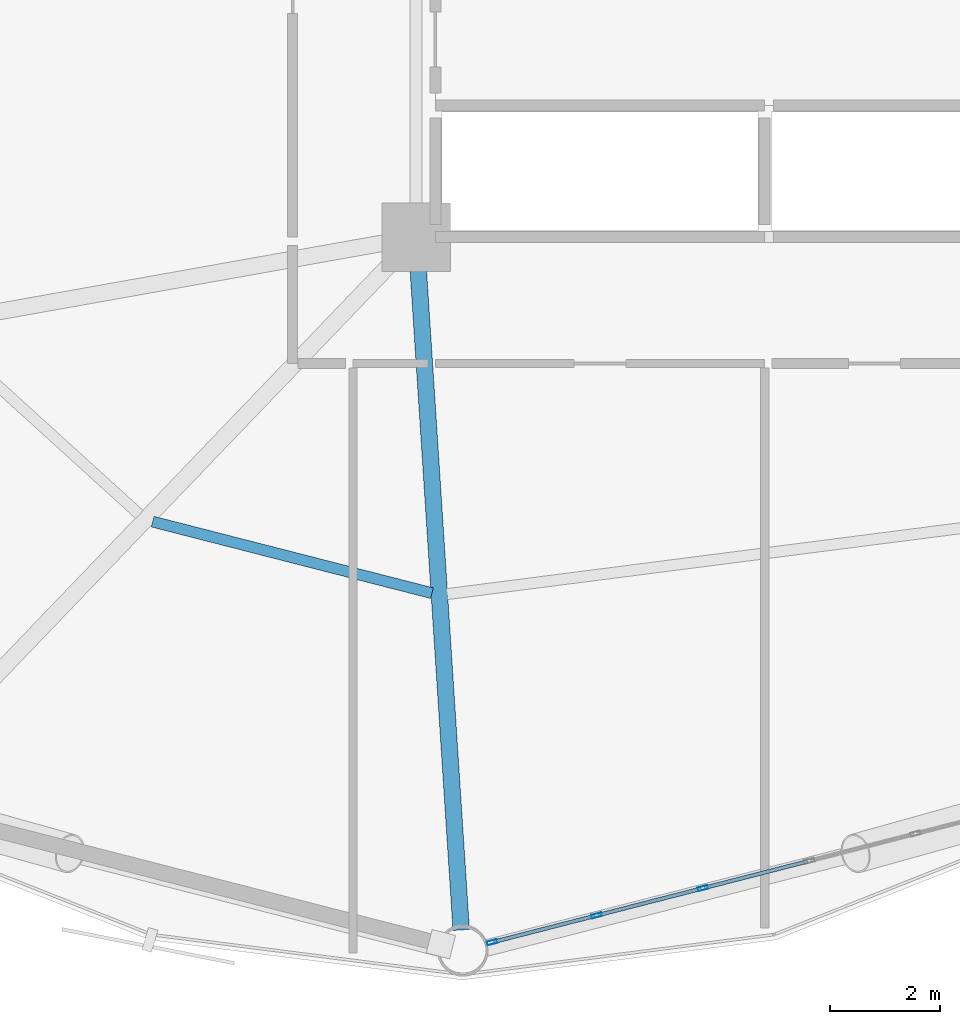
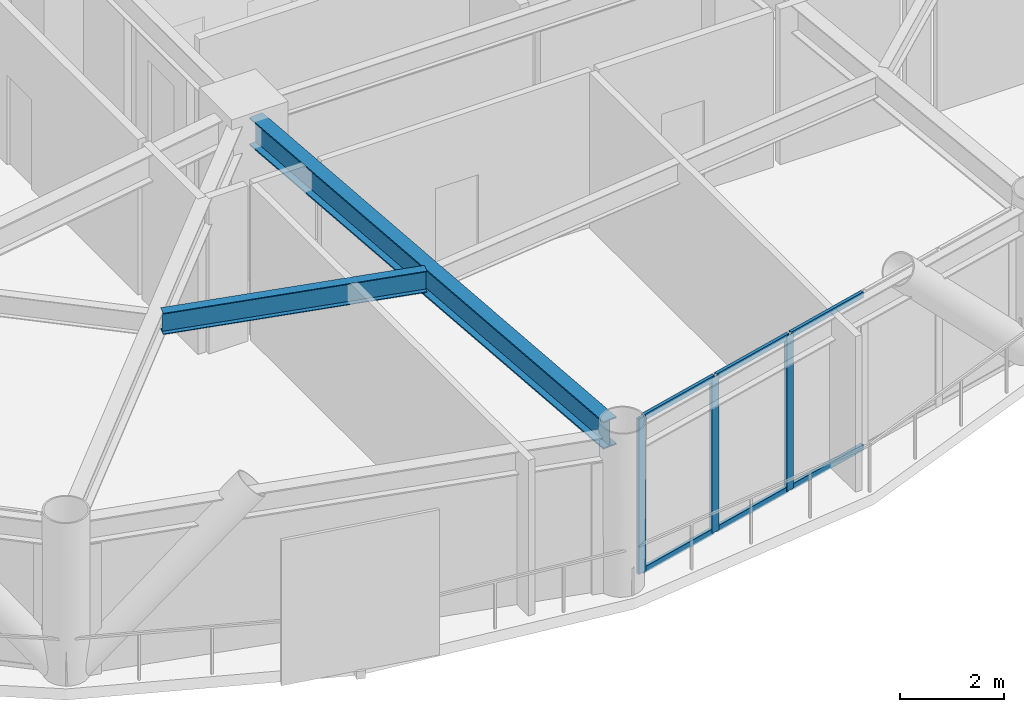
# One storey, part 6 of 25: 9 members, 2 beams, 1 element without a shape of its own.
"""IFC4 building model written with IfcOpenShell, lengths in metres."""

import ifcopenshell
import ifcopenshell.guid

model = None  # the IFC model being written
_history = None  # IfcOwnerHistory: only IFC2X3 demands one
_inside = {}  # id of a spatial element -> (the spatial element, [elements in it])
_under = {}  # id of a project, library or spatial element -> (it, [spatial elements below it])
_declared = {}  # id of a project -> (the project, [libraries it declares])
_typed = {}  # id of a type object -> (the type object, [elements of that type])
_made_of = {}  # id of a material, layer set ... -> (it, [elements and type objects made of it])


def new_model(schema):
    """Start an empty IFC model of exactly this schema.

    Asked for "IFC4X3", IfcOpenShell would pick the latest addendum, in which some entities
    have other attributes; the version numbers below select the first issue.
    IFC2X3 requires an IfcOwnerHistory on every rooted entity: one is made here for all.
    """
    global model, _history
    if schema == "IFC4X3":
        model = ifcopenshell.file(schema_version=(4, 3, 0, 0))
    else:
        model = ifcopenshell.file(schema=schema)
    _inside.clear()
    _under.clear()
    _declared.clear()
    _typed.clear()
    _made_of.clear()
    _history = None
    if model.schema == "IFC2X3":
        org = make("IfcOrganization", Name="unknown")
        user = make(
            "IfcPersonAndOrganization",
            ThePerson=make("IfcPerson", FamilyName="unknown"),
            TheOrganization=org,
        )
        app = make(
            "IfcApplication",
            ApplicationDeveloper=org,
            Version="unknown",
            ApplicationFullName="unknown",
            ApplicationIdentifier="unknown",
        )
        _history = make(
            "IfcOwnerHistory",
            OwningUser=user,
            OwningApplication=app,
            ChangeAction="ADDED",
            CreationDate=0,
        )
    return model


def make(cls, **values):
    """One entity of the class cls with the attributes given. An attribute that is None is left unset."""
    return model.create_entity(
        cls, **{name: value for name, value in values.items() if value is not None}
    )


def rooted(cls, **values):
    """An entity with a GlobalId (a new one), such as an element, a storey or a relation."""
    return make(cls, GlobalId=ifcopenshell.guid.new(), OwnerHistory=_history, **values)


def si_unit(unit_type, name, prefix=None):
    """IfcSIUnit, for example si_unit("LENGTHUNIT", "METRE", prefix="MILLI")."""
    return make("IfcSIUnit", UnitType=unit_type, Prefix=prefix, Name=name)


def assignment(units):
    """IfcUnitAssignment: the units of a project."""
    return None if units is None else make("IfcUnitAssignment", Units=units)


def point(xyz):
    """IfcCartesianPoint."""
    return None if xyz is None else make("IfcCartesianPoint", Coordinates=xyz)


def direction(xyz):
    """IfcDirection."""
    return None if xyz is None else make("IfcDirection", DirectionRatios=xyz)


def frame(location, z_axis=None, x_axis=None):
    """IfcAxis2Placement3D, a coordinate frame: its origin and axes. An axis left out is left unset."""
    return make(
        "IfcAxis2Placement3D",
        Location=point(location),
        Axis=direction(z_axis),
        RefDirection=direction(x_axis),
    )


def frame_2d(location, x_axis=None):
    """IfcAxis2Placement2D, a coordinate frame in the plane: its origin and x axis."""
    return make(
        "IfcAxis2Placement2D", Location=point(location), RefDirection=direction(x_axis)
    )


def origin():
    """The frame at (0, 0, 0) with its axes left unset."""
    return frame((0.0, 0.0, 0.0))


def origin_2d():
    """The frame at (0, 0) in the plane with its x axis left unset."""
    return frame_2d((0.0, 0.0))


def place(relative_to, where):
    """IfcLocalPlacement: puts the frame where relative to a parent placement (None: the world)."""
    return make(
        "IfcLocalPlacement", PlacementRelTo=relative_to, RelativePlacement=where
    )


def context(
    kind, dimensions, precision=None, world=None, true_north=None, identifier=None
):
    """IfcGeometricRepresentationContext, for example the 3D "Model" context."""
    return make(
        "IfcGeometricRepresentationContext",
        ContextIdentifier=identifier,
        ContextType=kind,
        CoordinateSpaceDimension=dimensions,
        Precision=precision,
        WorldCoordinateSystem=world,
        TrueNorth=true_north,
    )


def subcontext(parent, identifier, kind, view, scale=None):
    """IfcGeometricRepresentationSubContext, for example "Body" below "Model"."""
    return make(
        "IfcGeometricRepresentationSubContext",
        ContextIdentifier=identifier,
        ContextType=kind,
        ParentContext=parent,
        TargetScale=scale,
        TargetView=view,
    )


def project(units=None, contexts=None):
    """IfcProject with its units and contexts."""
    return rooted(
        "IfcProject",
        Name="project",
        RepresentationContexts=contexts,
        UnitsInContext=assignment(units),
    )


def spatial(cls, under=None, at=None, **own):
    """A site, building, storey or space (cls), placed at a placement, below another one or the project."""
    s = rooted(cls, ObjectPlacement=at, **own)
    if under is not None:
        _under.setdefault(under.id(), (under, []))[1].append(s)
    return s


def profile(cls, at=None, kind="AREA", **sizes):
    """A parametric profile (cls). Its sizes go by their IFC names, for example OverallWidth=200.0."""
    return make(cls, ProfileType=kind, Position=at, **sizes)


def hollow_rectangle(**sizes):
    """IfcRectangleHollowProfileDef."""
    return profile("IfcRectangleHollowProfileDef", **sizes)


def i_section(**sizes):
    """IfcIShapeProfileDef."""
    return profile("IfcIShapeProfileDef", **sizes)


def extrude(swept, where, along, depth):
    """IfcExtrudedAreaSolid: the profile swept, set in the frame where, extruded along a direction by depth."""
    return make(
        "IfcExtrudedAreaSolid",
        SweptArea=swept,
        Position=where,
        ExtrudedDirection=direction(along),
        Depth=depth,
    )


def shape(context_of_items, identifier, shape_type, items):
    """IfcShapeRepresentation: the items that make up one representation, for example the "Body"."""
    return make(
        "IfcShapeRepresentation",
        ContextOfItems=context_of_items,
        RepresentationIdentifier=identifier,
        RepresentationType=shape_type,
        Items=items,
    )


def material(Name=None, Category=None):
    """IfcMaterial."""
    return make("IfcMaterial", Name=Name, Category=Category)


def layer(
    of_material, thickness, ventilated=None, Name=None, Category=None, Priority=None
):
    """IfcMaterialLayer: one layer of a wall or slab, of a material (None: an air gap)."""
    return make(
        "IfcMaterialLayer",
        Material=of_material,
        LayerThickness=thickness,
        IsVentilated=ventilated,
        Name=Name,
        Category=Category,
        Priority=Priority,
    )


def layer_set(layers, Name=None):
    """IfcMaterialLayerSet."""
    return make("IfcMaterialLayerSet", MaterialLayers=layers, LayerSetName=Name)


def material_profile(
    of_material, cross_section, Name=None, Category=None, Priority=None
):
    """IfcMaterialProfile: a cross section and its material."""
    return make(
        "IfcMaterialProfile",
        Name=Name,
        Material=of_material,
        Profile=cross_section,
        Priority=Priority,
        Category=Category,
    )


def profile_set(profiles, Name=None, composite=None):
    """IfcMaterialProfileSet."""
    return make(
        "IfcMaterialProfileSet",
        Name=Name,
        MaterialProfiles=profiles,
        CompositeProfile=composite,
    )


def made_of(thing, what):
    """Note that an element or type object is made of a material, layer set ...; save() writes the relation."""
    if what is not None:
        _made_of.setdefault(what.id(), (what, []))[1].append(thing)
    return thing


def type_object(cls, material=None, **own):
    """A type object (cls), such as IfcWallType, which elements share."""
    return made_of(rooted(cls, **own), material)


def element(
    cls,
    number,
    at=None,
    inside=None,
    cuts=None,
    type_object=None,
    material=None,
    context=None,
    identifier="Body",
    shape_type=None,
    held_by="IfcProductDefinitionShape",
    body=None,
    shapes=None,
    **own,
):
    """One element of the class cls, such as IfcWall. Its Tag is "e" and its number.

    at: its placement. inside: the storey or other place that contains it. cuts: it is an
    opening in that element (IfcRelVoidsElement). A single representation is given by context,
    identifier, shape_type and body (its items); several are given by shapes. held_by: the class
    of the entity that holds the representations. save() writes the other relations.
    """
    e = rooted(cls, Tag="e%d" % number, ObjectPlacement=at, **own)
    if body is not None:
        shapes = [shape(context, identifier, shape_type, body)]
    if shapes is not None:
        e.Representation = make(held_by, Representations=shapes)
    if inside is not None:
        _inside.setdefault(inside.id(), (inside, []))[1].append(e)
    if cuts is not None:
        rooted(
            "IfcRelVoidsElement", RelatingBuildingElement=cuts, RelatedOpeningElement=e
        )
    if type_object is not None:
        _typed.setdefault(type_object.id(), (type_object, []))[1].append(e)
    return made_of(e, material)


def aggregate(whole, parts):
    """IfcRelAggregates: a whole, such as a stair, and the parts it consists of."""
    return rooted("IfcRelAggregates", RelatingObject=whole, RelatedObjects=parts)


def save(model, path):
    """Write the relations noted so far, then the file.

    IfcRelAggregates (storeys below a building ...), IfcRelContainedInSpatialStructure (elements
    in a storey), IfcRelDefinesByType, IfcRelAssociatesMaterial and IfcRelDeclares: one each for
    every whole, place, type object, material and project.
    """
    for whole, parts in _under.values():
        aggregate(whole, parts)
    for where, things in _inside.values():
        rooted(
            "IfcRelContainedInSpatialStructure",
            RelatedElements=things,
            RelatingStructure=where,
        )
    for kind, things in _typed.values():
        rooted("IfcRelDefinesByType", RelatedObjects=things, RelatingType=kind)
    for what, things in _made_of.values():
        rooted("IfcRelAssociatesMaterial", RelatedObjects=things, RelatingMaterial=what)
    for by, libraries in _declared.values():
        rooted("IfcRelDeclares", RelatingContext=by, RelatedDefinitions=libraries)
    model.write(path)


model = new_model("IFC4")

# Units and contexts
model_context = context("Model", 3, precision=1e-05, world=origin(), true_north=direction((0.0, 1.0)))
body_context = subcontext(model_context, "Body", "Model", "MODEL_VIEW")
ifc_project = project(units=[si_unit("LENGTHUNIT", "METRE"), si_unit("AREAUNIT", "SQUARE_METRE"), si_unit("VOLUMEUNIT", "CUBIC_METRE"), si_unit("PLANEANGLEUNIT", "RADIAN"), si_unit("MASSUNIT", "GRAM", prefix="KILO")], contexts=[model_context])

# Site, building, storey
site_placement = place(None, origin())
site = spatial("IfcSite", under=ifc_project, at=site_placement, CompositionType="ELEMENT")
building_placement = place(site_placement, origin())
building = spatial("IfcBuilding", under=site, at=building_placement, Name="Varnakorn Sky Granary", CompositionType="ELEMENT")
storey_placement = place(building_placement, frame((0.0, 0.0, 62.699951171875)))
storey = spatial("IfcBuildingStorey", under=building, at=storey_placement, Name="L15", CompositionType="ELEMENT", Elevation=62.699951171875)

# Beams
ifc_material_1 = material(Name="Steel S355JR", Category="steel")
ifc_material_profile_1 = material_profile(ifc_material_1, i_section(OverallWidth=0.300048828125, OverallDepth=0.64990234375, WebThickness=0.01611328125, FlangeThickness=0.031005859375, at=origin_2d()), Name="HE 650 B")
ifc_profile_set_1 = profile_set([ifc_material_profile_1], Name="Steel S355JR")
beam_type_1 = type_object("IfcBeamType", Name="BM-RAD-Z1", PredefinedType="BEAM", material=ifc_profile_set_1)
beam_1_placement = place(storey_placement, frame((-2.32275390625, -7.01904296875, 3.31494140625), z_axis=(0.064930024473, -0.99788981953, 0.0), x_axis=(0.99788981953, 0.064930024473, 0.0)))
element("IfcBeam", 1, at=beam_1_placement, inside=storey, type_object=beam_type_1, Name="Radial Floor Girder RG10 L15", PredefinedType="BEAM", context=body_context, shape_type="SweptSolid", body=[
    extrude(i_section(OverallWidth=0.300048828125, OverallDepth=0.64990234375, WebThickness=0.01611328125, FlangeThickness=0.031005859375, at=origin_2d()), origin(), (0.0, 0.0, 1.0), 12.227783203125),
])
ifc_material_profile_2 = material_profile(ifc_material_1, i_section(OverallWidth=0.199951171875, OverallDepth=0.5, WebThickness=0.01025390625, FlangeThickness=0.01611328125, at=origin_2d()), Name="IPE 500")
ifc_profile_set_2 = profile_set([ifc_material_profile_2], Name="Steel S355JR")
beam_type_2 = type_object("IfcBeamType", Name="BM-SEC-Z1", PredefinedType="BEAM", material=ifc_profile_set_2)
beam_2_placement = place(storey_placement, frame((-7.150390625, -11.7822265625, 3.39013671875), z_axis=(0.968751822107, -0.248032068822, 0.0), x_axis=(0.248032068822, 0.968751822107, 0.0)))
element("IfcBeam", 2, at=beam_2_placement, inside=storey, type_object=beam_type_2, Name="Secondary Floor Chord Beam MSB09 L15", PredefinedType="BEAM", context=body_context, shape_type="SweptSolid", body=[
    extrude(i_section(OverallWidth=0.199951171875, OverallDepth=0.5, WebThickness=0.01025390625, FlangeThickness=0.01611328125, at=origin_2d()), origin(), (0.0, 0.0, 1.0), 5.253173828125),
])

# Curtain wall, members
ifc_material_2 = material(Name="Anodised Bronze Aluminium Alloy 6063-T6", Category="aluminium")
ifc_layer = layer(ifc_material_2, 0.18994140625, Name="Anodised Bronze Aluminium Alloy 6063-T6")
ifc_layer_set = layer_set([ifc_layer], Name="Anodised Bronze Aluminium Alloy 6063-T6")
curtain_wall_type = type_object("IfcCurtainWallType", Name="CW-FRM-1", PredefinedType="USERDEFINED", material=ifc_layer_set)
curtain_wall_placement = place(storey_placement, origin())
curtain_wall = element("IfcCurtainWall", 3, at=curtain_wall_placement, inside=storey, type_object=curtain_wall_type, Name="Unitised Curtain Wall CW3 CW-L15-B10", ObjectType="CURTAIN WALL", PredefinedType="USERDEFINED")
ifc_material_profile_3 = material_profile(ifc_material_2, hollow_rectangle(XDim=0.070068359375, YDim=0.18505859375, WallThickness=0.00390625, at=origin_2d()), Name="ALU MULL 70x185")
ifc_profile_set_3 = profile_set([ifc_material_profile_3], Name="Anodised Bronze Aluminium Alloy 6063-T6")
member_type_1 = type_object("IfcMemberType", Name="CW-FRM-1-MULL", PredefinedType="MULLION", material=ifc_profile_set_3)
member_1_placement = place(storey_placement, frame((2.874267578125, -18.461181640625, 0.0), z_axis=(0.0, 0.0, 1.0), x_axis=(0.248436235849, -0.968648252317, 0.0)))
member_1 = element("IfcMember", 4, at=member_1_placement, type_object=member_type_1, Name="CW3 mullion 4", PredefinedType="MULLION", context=body_context, shape_type="SweptSolid", body=[
    extrude(hollow_rectangle(XDim=0.070068359375, YDim=0.18505859375, WallThickness=0.00390625, at=origin_2d()), origin(), (0.0, 0.0, 1.0), 3.64013671875),
])
member_2_placement = place(storey_placement, frame((0.9375, -18.957763671875, 0.0), z_axis=(0.0, 0.0, 1.0), x_axis=(0.248436235849, -0.968648252317, 0.0)))
member_2 = element("IfcMember", 5, at=member_2_placement, type_object=member_type_1, Name="CW3 mullion 5", PredefinedType="MULLION", context=body_context, shape_type="SweptSolid", body=[
    extrude(hollow_rectangle(XDim=0.070068359375, YDim=0.18505859375, WallThickness=0.00390625, at=origin_2d()), origin(), (0.0, 0.0, 1.0), 3.64013671875),
])
member_3_placement = place(storey_placement, frame((-0.96533203125, -19.44580078125, 0.0), z_axis=(0.0, 0.0, 1.0), x_axis=(0.248436235849, -0.968648252317, 0.0)))
member_3 = element("IfcMember", 6, at=member_3_placement, type_object=member_type_1, Name="CW3 mullion 6", PredefinedType="MULLION", context=body_context, shape_type="SweptSolid", body=[
    extrude(hollow_rectangle(XDim=0.070068359375, YDim=0.18505859375, WallThickness=0.00390625, at=origin_2d()), origin(), (0.0, 0.0, 1.0), 3.64013671875),
])
ifc_material_profile_4 = material_profile(ifc_material_2, hollow_rectangle(XDim=0.070068359375, YDim=0.139892578125, WallThickness=0.00341796875, at=origin_2d()), Name="ALU TRAN 70x140")
ifc_profile_set_4 = profile_set([ifc_material_profile_4], Name="Anodised Bronze Aluminium Alloy 6063-T6")
member_type_2 = type_object("IfcMemberType", Name="CW-FRM-1-TRAN", PredefinedType="USERDEFINED", material=ifc_profile_set_4)
member_4_placement = place(storey_placement, frame((4.77734375, -17.97314453125, 0.03515625), z_axis=(-0.968666207589, -0.248366218064, 0.0), x_axis=(0.248366218064, -0.968666207589, 0.0)))
member_4 = element("IfcMember", 7, at=member_4_placement, type_object=member_type_2, Name="CW3 transom 3.1", ObjectType="TRANSOM", PredefinedType="USERDEFINED", context=body_context, shape_type="SweptSolid", body=[
    extrude(hollow_rectangle(XDim=0.070068359375, YDim=0.139892578125, WallThickness=0.00341796875, at=origin_2d()), origin(), (0.0, 0.0, 1.0), 1.9296875),
])
member_5_placement = place(storey_placement, frame((4.77734375, -17.97314453125, 3.60498046875), z_axis=(-0.968666207589, -0.248366218064, 0.0), x_axis=(0.248366218064, -0.968666207589, 0.0)))
member_5 = element("IfcMember", 8, at=member_5_placement, type_object=member_type_2, Name="CW3 transom 3.2", ObjectType="TRANSOM", PredefinedType="USERDEFINED", context=body_context, shape_type="SweptSolid", body=[
    extrude(hollow_rectangle(XDim=0.070068359375, YDim=0.139892578125, WallThickness=0.00341796875, at=origin_2d()), origin(), (0.0, 0.0, 1.0), 1.9296875),
])
member_6_placement = place(storey_placement, frame((2.840576171875, -18.4697265625, 0.03515625), z_axis=(-0.968635761674, -0.248484931548, 0.0), x_axis=(0.248484931548, -0.968635761674, 0.0)))
member_6 = element("IfcMember", 9, at=member_6_placement, type_object=member_type_2, Name="CW3 transom 4.1", ObjectType="TRANSOM", PredefinedType="USERDEFINED", context=body_context, shape_type="SweptSolid", body=[
    extrude(hollow_rectangle(XDim=0.070068359375, YDim=0.139892578125, WallThickness=0.00341796875, at=origin_2d()), origin(), (0.0, 0.0, 1.0), 1.9296875),
])
member_7_placement = place(storey_placement, frame((2.840576171875, -18.4697265625, 3.60498046875), z_axis=(-0.968635761674, -0.248484931548, 0.0), x_axis=(0.248484931548, -0.968635761674, 0.0)))
member_7 = element("IfcMember", 10, at=member_7_placement, type_object=member_type_2, Name="CW3 transom 4.2", ObjectType="TRANSOM", PredefinedType="USERDEFINED", context=body_context, shape_type="SweptSolid", body=[
    extrude(hollow_rectangle(XDim=0.070068359375, YDim=0.139892578125, WallThickness=0.00341796875, at=origin_2d()), origin(), (0.0, 0.0, 1.0), 1.9296875),
])
member_8_placement = place(storey_placement, frame((0.903564453125, -18.966552734375, 0.03515625), z_axis=(-0.968638419511, -0.248474570625, 0.0), x_axis=(0.248474570625, -0.968638419511, 0.0)))
member_8 = element("IfcMember", 11, at=member_8_placement, type_object=member_type_2, Name="CW3 transom 5.1", ObjectType="TRANSOM", PredefinedType="USERDEFINED", context=body_context, shape_type="SweptSolid", body=[
    extrude(hollow_rectangle(XDim=0.070068359375, YDim=0.139892578125, WallThickness=0.00341796875, at=origin_2d()), origin(), (0.0, 0.0, 1.0), 1.894287109375),
])
member_9_placement = place(storey_placement, frame((0.903564453125, -18.966552734375, 3.60498046875), z_axis=(-0.968638419511, -0.248474570625, 0.0), x_axis=(0.248474570625, -0.968638419511, 0.0)))
member_9 = element("IfcMember", 12, at=member_9_placement, type_object=member_type_2, Name="CW3 transom 5.2", ObjectType="TRANSOM", PredefinedType="USERDEFINED", context=body_context, shape_type="SweptSolid", body=[
    extrude(hollow_rectangle(XDim=0.070068359375, YDim=0.139892578125, WallThickness=0.00341796875, at=origin_2d()), origin(), (0.0, 0.0, 1.0), 1.894287109375),
])
aggregate(curtain_wall, [member_1, member_2, member_3, member_4, member_5, member_6, member_7, member_8, member_9])

save(model, "model.ifc")
